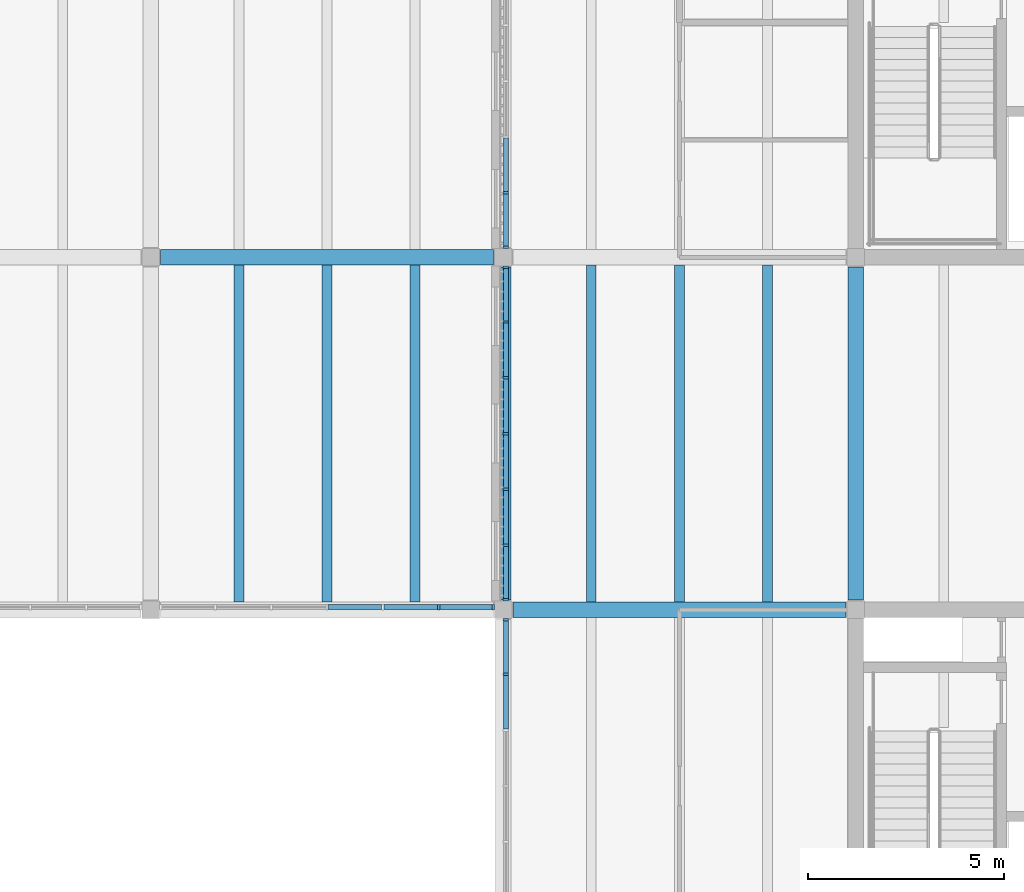
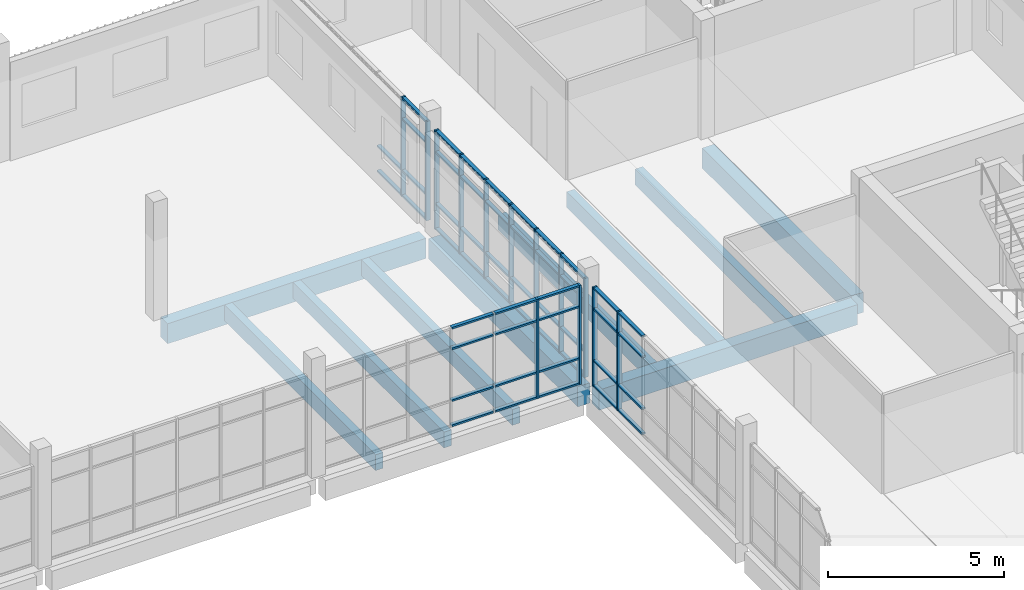
# One storey, part 26 of 88: 63 members, 10 beams, 4 elements without a shape of their own.
"""IFC4 building model written with IfcOpenShell, lengths in metres."""

from ifc_helpers import new_model, si_unit, direction, frame, origin, origin_2d, place, context, subcontext, project, spatial, rectangle, extrude, material, material_profile, profile_set, type_object, element, aggregate, save


model = new_model("IFC4")

# Units and contexts
model_context = context("Model", 3, precision=1e-05, world=origin(), true_north=direction((0.0, 1.0)))
body_context = subcontext(model_context, "Body", "Model", "MODEL_VIEW")
ifc_project = project(units=[si_unit("LENGTHUNIT", "METRE"), si_unit("AREAUNIT", "SQUARE_METRE"), si_unit("VOLUMEUNIT", "CUBIC_METRE"), si_unit("PLANEANGLEUNIT", "RADIAN"), si_unit("MASSUNIT", "GRAM", prefix="KILO")], contexts=[model_context])

# Site, building, storey
site_placement = place(None, origin())
site = spatial("IfcSite", under=ifc_project, at=site_placement, CompositionType="ELEMENT")
building_placement = place(site_placement, origin())
building = spatial("IfcBuilding", under=site, at=building_placement, Name="Merrow Basin Faculty of Sciences", CompositionType="ELEMENT")
storey_placement = place(building_placement, frame((0.0, 0.0, 9.0)))
storey = spatial("IfcBuildingStorey", under=building, at=storey_placement, Name="L02", CompositionType="ELEMENT", Elevation=9.0)

# Curtain wall, members
ifc_material_1 = material(Name="Aluminium alloy 6063", Category="aluminium")
curtain_wall_type = type_object("IfcCurtainWallType", Name="Court curtain wall 140", PredefinedType="NOTDEFINED", material=ifc_material_1)
curtain_wall_1_placement = place(storey_placement, origin())
curtain_wall_1 = element("IfcCurtainWall", 1, at=curtain_wall_1_placement, inside=storey, type_object=curtain_wall_type, Name="Court curtain wall L02 6", PredefinedType="NOTDEFINED")
ifc_material_2 = material(Name="Aluminium alloy 6063", Category="aluminium")
ifc_material_profile_1 = material_profile(ifc_material_2, rectangle(XDim=0.139892578125, YDim=0.06005859375, at=origin_2d()))
ifc_profile_set_1 = profile_set([ifc_material_profile_1], Name="Aluminium alloy 6063")
member_type_1 = type_object("IfcMemberType", Name="Aluminium mullion 60x140", PredefinedType="MULLION", material=ifc_profile_set_1)
member_1_placement = place(storey_placement, frame((54.070068359375, 113.35009765625, 0.0), z_axis=(0.0, 0.0, 1.0), x_axis=(-1.0, 0.0, 0.0)))
member_1 = element("IfcMember", 2, at=member_1_placement, type_object=member_type_1, Name="CW8 mullion 6", PredefinedType="MULLION", context=body_context, shape_type="SweptSolid", body=[
    extrude(rectangle(XDim=0.139892578125, YDim=0.06005859375, at=origin_2d()), origin(), (0.0, 0.0, 1.0), 3.449951171875),
])
member_2_placement = place(storey_placement, frame((54.070068359375, 114.7451171875, 0.0), z_axis=(0.0, 0.0, 1.0), x_axis=(-1.0, 0.0, 0.0)))
member_2 = element("IfcMember", 3, at=member_2_placement, type_object=member_type_1, Name="CW8 mullion 7", PredefinedType="MULLION", context=body_context, shape_type="SweptSolid", body=[
    extrude(rectangle(XDim=0.139892578125, YDim=0.06005859375, at=origin_2d()), origin(), (0.0, 0.0, 1.0), 3.449951171875),
])

curtain_wall_2_placement = place(storey_placement, origin())
curtain_wall_2 = element("IfcCurtainWall", 4, at=curtain_wall_2_placement, inside=storey, type_object=curtain_wall_type, Name="Court curtain wall L02 7", PredefinedType="NOTDEFINED")
member_3_placement = place(storey_placement, frame((54.070068359375, 115.2548828125, 0.0), z_axis=(0.0, 0.0, 1.0), x_axis=(-1.0, 0.0, 0.0)))
member_3 = element("IfcMember", 5, at=member_3_placement, type_object=member_type_1, Name="CW8 mullion 1", PredefinedType="MULLION", context=body_context, shape_type="SweptSolid", body=[
    extrude(rectangle(XDim=0.139892578125, YDim=0.06005859375, at=origin_2d()), origin(), (0.0, 0.0, 1.0), 3.449951171875),
])
member_4_placement = place(storey_placement, frame((54.070068359375, 116.64990234375, 0.0), z_axis=(0.0, 0.0, 1.0), x_axis=(-1.0, 0.0, 0.0)))
member_4 = element("IfcMember", 6, at=member_4_placement, type_object=member_type_1, Name="CW8 mullion 2", PredefinedType="MULLION", context=body_context, shape_type="SweptSolid", body=[
    extrude(rectangle(XDim=0.139892578125, YDim=0.06005859375, at=origin_2d()), origin(), (0.0, 0.0, 1.0), 3.449951171875),
])
member_5_placement = place(storey_placement, frame((54.070068359375, 118.074951171875, 0.0), z_axis=(0.0, 0.0, 1.0), x_axis=(-1.0, 0.0, 0.0)))
member_5 = element("IfcMember", 7, at=member_5_placement, type_object=member_type_1, Name="CW8 mullion 3", PredefinedType="MULLION", context=body_context, shape_type="SweptSolid", body=[
    extrude(rectangle(XDim=0.139892578125, YDim=0.06005859375, at=origin_2d()), origin(), (0.0, 0.0, 1.0), 3.449951171875),
])
member_6_placement = place(storey_placement, frame((54.070068359375, 119.5, 0.0), z_axis=(0.0, 0.0, 1.0), x_axis=(-1.0, 0.0, 0.0)))
member_6 = element("IfcMember", 8, at=member_6_placement, type_object=member_type_1, Name="CW8 mullion 4", PredefinedType="MULLION", context=body_context, shape_type="SweptSolid", body=[
    extrude(rectangle(XDim=0.139892578125, YDim=0.06005859375, at=origin_2d()), origin(), (0.0, 0.0, 1.0), 3.449951171875),
])
member_7_placement = place(storey_placement, frame((54.070068359375, 120.925048828125, 0.0), z_axis=(0.0, 0.0, 1.0), x_axis=(-1.0, 0.0, 0.0)))
member_7 = element("IfcMember", 9, at=member_7_placement, type_object=member_type_1, Name="CW8 mullion 5", PredefinedType="MULLION", context=body_context, shape_type="SweptSolid", body=[
    extrude(rectangle(XDim=0.139892578125, YDim=0.06005859375, at=origin_2d()), origin(), (0.0, 0.0, 1.0), 3.449951171875),
])
member_8_placement = place(storey_placement, frame((54.070068359375, 122.35009765625, 0.0), z_axis=(0.0, 0.0, 1.0), x_axis=(-1.0, 0.0, 0.0)))
member_8 = element("IfcMember", 10, at=member_8_placement, type_object=member_type_1, Name="CW8 mullion 6", PredefinedType="MULLION", context=body_context, shape_type="SweptSolid", body=[
    extrude(rectangle(XDim=0.139892578125, YDim=0.06005859375, at=origin_2d()), origin(), (0.0, 0.0, 1.0), 3.449951171875),
])
member_9_placement = place(storey_placement, frame((54.070068359375, 123.7451171875, 0.0), z_axis=(0.0, 0.0, 1.0), x_axis=(-1.0, 0.0, 0.0)))
member_9 = element("IfcMember", 11, at=member_9_placement, type_object=member_type_1, Name="CW8 mullion 7", PredefinedType="MULLION", context=body_context, shape_type="SweptSolid", body=[
    extrude(rectangle(XDim=0.139892578125, YDim=0.06005859375, at=origin_2d()), origin(), (0.0, 0.0, 1.0), 3.449951171875),
])

curtain_wall_3_placement = place(storey_placement, origin())
curtain_wall_3 = element("IfcCurtainWall", 12, at=curtain_wall_3_placement, inside=storey, type_object=curtain_wall_type, Name="Court curtain wall L02 8", PredefinedType="NOTDEFINED")
member_10_placement = place(storey_placement, frame((54.070068359375, 124.2548828125, 0.0), z_axis=(0.0, 0.0, 1.0), x_axis=(-1.0, 0.0, 0.0)))
member_10 = element("IfcMember", 13, at=member_10_placement, type_object=member_type_1, Name="CW8 mullion 1", PredefinedType="MULLION", context=body_context, shape_type="SweptSolid", body=[
    extrude(rectangle(XDim=0.139892578125, YDim=0.06005859375, at=origin_2d()), origin(), (0.0, 0.0, 1.0), 3.449951171875),
])
member_11_placement = place(storey_placement, frame((54.070068359375, 125.64990234375, 0.0), z_axis=(0.0, 0.0, 1.0), x_axis=(-1.0, 0.0, 0.0)))
member_11 = element("IfcMember", 14, at=member_11_placement, type_object=member_type_1, Name="CW8 mullion 2", PredefinedType="MULLION", context=body_context, shape_type="SweptSolid", body=[
    extrude(rectangle(XDim=0.139892578125, YDim=0.06005859375, at=origin_2d()), origin(), (0.0, 0.0, 1.0), 3.449951171875),
])

curtain_wall_4_placement = place(storey_placement, origin())
curtain_wall_4 = element("IfcCurtainWall", 15, at=curtain_wall_4_placement, inside=storey, type_object=curtain_wall_type, Name="Court curtain wall L02 3", PredefinedType="NOTDEFINED")
member_12_placement = place(storey_placement, frame((52.35009765625, 115.070068359375, 0.0), z_axis=(0.0, 0.0, 1.0), x_axis=(0.0, 1.0, 0.0)))
member_12 = element("IfcMember", 16, at=member_12_placement, type_object=member_type_1, Name="CW8 mullion 6", PredefinedType="MULLION", context=body_context, shape_type="SweptSolid", body=[
    extrude(rectangle(XDim=0.139892578125, YDim=0.06005859375, at=origin_2d()), origin(), (0.0, 0.0, 1.0), 3.449951171875),
])
member_13_placement = place(storey_placement, frame((53.7451171875, 115.070068359375, 0.0), z_axis=(0.0, 0.0, 1.0), x_axis=(0.0, 1.0, 0.0)))
member_13 = element("IfcMember", 17, at=member_13_placement, type_object=member_type_1, Name="CW8 mullion 7", PredefinedType="MULLION", context=body_context, shape_type="SweptSolid", body=[
    extrude(rectangle(XDim=0.139892578125, YDim=0.06005859375, at=origin_2d()), origin(), (0.0, 0.0, 1.0), 3.449951171875),
])

# Member
ifc_material_3 = material(Name="Aluminium alloy 6063", Category="aluminium")
ifc_material_profile_2 = material_profile(ifc_material_3, rectangle(XDim=0.1201171875, YDim=0.06005859375, at=origin_2d()))
ifc_profile_set_2 = profile_set([ifc_material_profile_2], Name="Aluminium alloy 6063")
member_type_2 = type_object("IfcMemberType", Name="Aluminium transom 60x120", PredefinedType="USERDEFINED", material=ifc_profile_set_2)
member_14_placement = place(storey_placement, frame((54.070068359375, 111.955078125, 0.030029296875), z_axis=(0.0, 1.0, 0.0), x_axis=(-1.0, 0.0, 0.0)))
member_14 = element("IfcMember", 18, at=member_14_placement, type_object=member_type_2, Name="CW8 transom 5.1", ObjectType="TRANSOM", PredefinedType="USERDEFINED", context=body_context, shape_type="SweptSolid", body=[
    extrude(rectangle(XDim=0.1201171875, YDim=0.06005859375, at=origin_2d()), origin(), (0.0, 0.0, 1.0), 1.364990234375),
])

member_15_placement = place(storey_placement, frame((54.070068359375, 111.955078125, 0.89990234375), z_axis=(0.0, 1.0, 0.0), x_axis=(-1.0, 0.0, 0.0)))
member_15 = element("IfcMember", 19, at=member_15_placement, type_object=member_type_2, Name="CW8 transom 5.2", ObjectType="TRANSOM", PredefinedType="USERDEFINED", context=body_context, shape_type="SweptSolid", body=[
    extrude(rectangle(XDim=0.1201171875, YDim=0.06005859375, at=origin_2d()), origin(), (0.0, 0.0, 1.0), 1.364990234375),
])

member_16_placement = place(storey_placement, frame((54.070068359375, 111.955078125, 2.699951171875), z_axis=(0.0, 1.0, 0.0), x_axis=(-1.0, 0.0, 0.0)))
member_16 = element("IfcMember", 20, at=member_16_placement, type_object=member_type_2, Name="CW8 transom 5.3", ObjectType="TRANSOM", PredefinedType="USERDEFINED", context=body_context, shape_type="SweptSolid", body=[
    extrude(rectangle(XDim=0.1201171875, YDim=0.06005859375, at=origin_2d()), origin(), (0.0, 0.0, 1.0), 1.364990234375),
])

member_17_placement = place(storey_placement, frame((54.070068359375, 111.955078125, 3.419921875), z_axis=(0.0, 1.0, 0.0), x_axis=(-1.0, 0.0, 0.0)))
member_17 = element("IfcMember", 21, at=member_17_placement, type_object=member_type_2, Name="CW8 transom 5.4", ObjectType="TRANSOM", PredefinedType="USERDEFINED", context=body_context, shape_type="SweptSolid", body=[
    extrude(rectangle(XDim=0.1201171875, YDim=0.06005859375, at=origin_2d()), origin(), (0.0, 0.0, 1.0), 1.364990234375),
])

member_18_placement = place(storey_placement, frame((54.070068359375, 113.3798828125, 0.030029296875), z_axis=(0.0, 1.0, 0.0), x_axis=(-1.0, 0.0, 0.0)))
member_18 = element("IfcMember", 22, at=member_18_placement, type_object=member_type_2, Name="CW8 transom 6.1", ObjectType="TRANSOM", PredefinedType="USERDEFINED", context=body_context, shape_type="SweptSolid", body=[
    extrude(rectangle(XDim=0.1201171875, YDim=0.06005859375, at=origin_2d()), origin(), (0.0, 0.0, 1.0), 1.335205078125),
])

member_19_placement = place(storey_placement, frame((54.070068359375, 113.3798828125, 0.89990234375), z_axis=(0.0, 1.0, 0.0), x_axis=(-1.0, 0.0, 0.0)))
member_19 = element("IfcMember", 23, at=member_19_placement, type_object=member_type_2, Name="CW8 transom 6.2", ObjectType="TRANSOM", PredefinedType="USERDEFINED", context=body_context, shape_type="SweptSolid", body=[
    extrude(rectangle(XDim=0.1201171875, YDim=0.06005859375, at=origin_2d()), origin(), (0.0, 0.0, 1.0), 1.335205078125),
])

member_20_placement = place(storey_placement, frame((54.070068359375, 113.3798828125, 2.699951171875), z_axis=(0.0, 1.0, 0.0), x_axis=(-1.0, 0.0, 0.0)))
member_20 = element("IfcMember", 24, at=member_20_placement, type_object=member_type_2, Name="CW8 transom 6.3", ObjectType="TRANSOM", PredefinedType="USERDEFINED", context=body_context, shape_type="SweptSolid", body=[
    extrude(rectangle(XDim=0.1201171875, YDim=0.06005859375, at=origin_2d()), origin(), (0.0, 0.0, 1.0), 1.335205078125),
])

member_21_placement = place(storey_placement, frame((54.070068359375, 113.3798828125, 3.419921875), z_axis=(0.0, 1.0, 0.0), x_axis=(-1.0, 0.0, 0.0)))
member_21 = element("IfcMember", 25, at=member_21_placement, type_object=member_type_2, Name="CW8 transom 6.4", ObjectType="TRANSOM", PredefinedType="USERDEFINED", context=body_context, shape_type="SweptSolid", body=[
    extrude(rectangle(XDim=0.1201171875, YDim=0.06005859375, at=origin_2d()), origin(), (0.0, 0.0, 1.0), 1.335205078125),
])

aggregate(curtain_wall_1, [member_1, member_2, member_14, member_15, member_16, member_17, member_18, member_19, member_20, member_21])

member_22_placement = place(storey_placement, frame((54.070068359375, 115.284912109375, 0.030029296875), z_axis=(0.0, 1.0, 0.0), x_axis=(-1.0, 0.0, 0.0)))
member_22 = element("IfcMember", 26, at=member_22_placement, type_object=member_type_2, Name="CW8 transom 1.1", ObjectType="TRANSOM", PredefinedType="USERDEFINED", context=body_context, shape_type="SweptSolid", body=[
    extrude(rectangle(XDim=0.1201171875, YDim=0.06005859375, at=origin_2d()), origin(), (0.0, 0.0, 1.0), 1.335205078125),
])

member_23_placement = place(storey_placement, frame((54.070068359375, 115.284912109375, 0.89990234375), z_axis=(0.0, 1.0, 0.0), x_axis=(-1.0, 0.0, 0.0)))
member_23 = element("IfcMember", 27, at=member_23_placement, type_object=member_type_2, Name="CW8 transom 1.2", ObjectType="TRANSOM", PredefinedType="USERDEFINED", context=body_context, shape_type="SweptSolid", body=[
    extrude(rectangle(XDim=0.1201171875, YDim=0.06005859375, at=origin_2d()), origin(), (0.0, 0.0, 1.0), 1.335205078125),
])

member_24_placement = place(storey_placement, frame((54.070068359375, 115.284912109375, 2.699951171875), z_axis=(0.0, 1.0, 0.0), x_axis=(-1.0, 0.0, 0.0)))
member_24 = element("IfcMember", 28, at=member_24_placement, type_object=member_type_2, Name="CW8 transom 1.3", ObjectType="TRANSOM", PredefinedType="USERDEFINED", context=body_context, shape_type="SweptSolid", body=[
    extrude(rectangle(XDim=0.1201171875, YDim=0.06005859375, at=origin_2d()), origin(), (0.0, 0.0, 1.0), 1.335205078125),
])

member_25_placement = place(storey_placement, frame((54.070068359375, 115.284912109375, 3.419921875), z_axis=(0.0, 1.0, 0.0), x_axis=(-1.0, 0.0, 0.0)))
member_25 = element("IfcMember", 29, at=member_25_placement, type_object=member_type_2, Name="CW8 transom 1.4", ObjectType="TRANSOM", PredefinedType="USERDEFINED", context=body_context, shape_type="SweptSolid", body=[
    extrude(rectangle(XDim=0.1201171875, YDim=0.06005859375, at=origin_2d()), origin(), (0.0, 0.0, 1.0), 1.335205078125),
])

member_26_placement = place(storey_placement, frame((54.070068359375, 116.679931640625, 0.030029296875), z_axis=(0.0, 1.0, 0.0), x_axis=(-1.0, 0.0, 0.0)))
member_26 = element("IfcMember", 30, at=member_26_placement, type_object=member_type_2, Name="CW8 transom 2.1", ObjectType="TRANSOM", PredefinedType="USERDEFINED", context=body_context, shape_type="SweptSolid", body=[
    extrude(rectangle(XDim=0.1201171875, YDim=0.06005859375, at=origin_2d()), origin(), (0.0, 0.0, 1.0), 1.364990234375),
])

member_27_placement = place(storey_placement, frame((54.070068359375, 116.679931640625, 0.89990234375), z_axis=(0.0, 1.0, 0.0), x_axis=(-1.0, 0.0, 0.0)))
member_27 = element("IfcMember", 31, at=member_27_placement, type_object=member_type_2, Name="CW8 transom 2.2", ObjectType="TRANSOM", PredefinedType="USERDEFINED", context=body_context, shape_type="SweptSolid", body=[
    extrude(rectangle(XDim=0.1201171875, YDim=0.06005859375, at=origin_2d()), origin(), (0.0, 0.0, 1.0), 1.364990234375),
])

member_28_placement = place(storey_placement, frame((54.070068359375, 116.679931640625, 2.699951171875), z_axis=(0.0, 1.0, 0.0), x_axis=(-1.0, 0.0, 0.0)))
member_28 = element("IfcMember", 32, at=member_28_placement, type_object=member_type_2, Name="CW8 transom 2.3", ObjectType="TRANSOM", PredefinedType="USERDEFINED", context=body_context, shape_type="SweptSolid", body=[
    extrude(rectangle(XDim=0.1201171875, YDim=0.06005859375, at=origin_2d()), origin(), (0.0, 0.0, 1.0), 1.364990234375),
])

member_29_placement = place(storey_placement, frame((54.070068359375, 116.679931640625, 3.419921875), z_axis=(0.0, 1.0, 0.0), x_axis=(-1.0, 0.0, 0.0)))
member_29 = element("IfcMember", 33, at=member_29_placement, type_object=member_type_2, Name="CW8 transom 2.4", ObjectType="TRANSOM", PredefinedType="USERDEFINED", context=body_context, shape_type="SweptSolid", body=[
    extrude(rectangle(XDim=0.1201171875, YDim=0.06005859375, at=origin_2d()), origin(), (0.0, 0.0, 1.0), 1.364990234375),
])

member_30_placement = place(storey_placement, frame((54.070068359375, 118.10498046875, 0.030029296875), z_axis=(0.0, 1.0, 0.0), x_axis=(-1.0, 0.0, 0.0)))
member_30 = element("IfcMember", 34, at=member_30_placement, type_object=member_type_2, Name="CW8 transom 3.1", ObjectType="TRANSOM", PredefinedType="USERDEFINED", context=body_context, shape_type="SweptSolid", body=[
    extrude(rectangle(XDim=0.1201171875, YDim=0.06005859375, at=origin_2d()), origin(), (0.0, 0.0, 1.0), 1.364990234375),
])

member_31_placement = place(storey_placement, frame((54.070068359375, 118.10498046875, 0.89990234375), z_axis=(0.0, 1.0, 0.0), x_axis=(-1.0, 0.0, 0.0)))
member_31 = element("IfcMember", 35, at=member_31_placement, type_object=member_type_2, Name="CW8 transom 3.2", ObjectType="TRANSOM", PredefinedType="USERDEFINED", context=body_context, shape_type="SweptSolid", body=[
    extrude(rectangle(XDim=0.1201171875, YDim=0.06005859375, at=origin_2d()), origin(), (0.0, 0.0, 1.0), 1.364990234375),
])

member_32_placement = place(storey_placement, frame((54.070068359375, 118.10498046875, 2.699951171875), z_axis=(0.0, 1.0, 0.0), x_axis=(-1.0, 0.0, 0.0)))
member_32 = element("IfcMember", 36, at=member_32_placement, type_object=member_type_2, Name="CW8 transom 3.3", ObjectType="TRANSOM", PredefinedType="USERDEFINED", context=body_context, shape_type="SweptSolid", body=[
    extrude(rectangle(XDim=0.1201171875, YDim=0.06005859375, at=origin_2d()), origin(), (0.0, 0.0, 1.0), 1.364990234375),
])

member_33_placement = place(storey_placement, frame((54.070068359375, 118.10498046875, 3.419921875), z_axis=(0.0, 1.0, 0.0), x_axis=(-1.0, 0.0, 0.0)))
member_33 = element("IfcMember", 37, at=member_33_placement, type_object=member_type_2, Name="CW8 transom 3.4", ObjectType="TRANSOM", PredefinedType="USERDEFINED", context=body_context, shape_type="SweptSolid", body=[
    extrude(rectangle(XDim=0.1201171875, YDim=0.06005859375, at=origin_2d()), origin(), (0.0, 0.0, 1.0), 1.364990234375),
])

member_34_placement = place(storey_placement, frame((54.070068359375, 119.530029296875, 0.030029296875), z_axis=(0.0, 1.0, 0.0), x_axis=(-1.0, 0.0, 0.0)))
member_34 = element("IfcMember", 38, at=member_34_placement, type_object=member_type_2, Name="CW8 transom 4.1", ObjectType="TRANSOM", PredefinedType="USERDEFINED", context=body_context, shape_type="SweptSolid", body=[
    extrude(rectangle(XDim=0.1201171875, YDim=0.06005859375, at=origin_2d()), origin(), (0.0, 0.0, 1.0), 1.364990234375),
])

member_35_placement = place(storey_placement, frame((54.070068359375, 119.530029296875, 0.89990234375), z_axis=(0.0, 1.0, 0.0), x_axis=(-1.0, 0.0, 0.0)))
member_35 = element("IfcMember", 39, at=member_35_placement, type_object=member_type_2, Name="CW8 transom 4.2", ObjectType="TRANSOM", PredefinedType="USERDEFINED", context=body_context, shape_type="SweptSolid", body=[
    extrude(rectangle(XDim=0.1201171875, YDim=0.06005859375, at=origin_2d()), origin(), (0.0, 0.0, 1.0), 1.364990234375),
])

member_36_placement = place(storey_placement, frame((54.070068359375, 119.530029296875, 2.699951171875), z_axis=(0.0, 1.0, 0.0), x_axis=(-1.0, 0.0, 0.0)))
member_36 = element("IfcMember", 40, at=member_36_placement, type_object=member_type_2, Name="CW8 transom 4.3", ObjectType="TRANSOM", PredefinedType="USERDEFINED", context=body_context, shape_type="SweptSolid", body=[
    extrude(rectangle(XDim=0.1201171875, YDim=0.06005859375, at=origin_2d()), origin(), (0.0, 0.0, 1.0), 1.364990234375),
])

member_37_placement = place(storey_placement, frame((54.070068359375, 119.530029296875, 3.419921875), z_axis=(0.0, 1.0, 0.0), x_axis=(-1.0, 0.0, 0.0)))
member_37 = element("IfcMember", 41, at=member_37_placement, type_object=member_type_2, Name="CW8 transom 4.4", ObjectType="TRANSOM", PredefinedType="USERDEFINED", context=body_context, shape_type="SweptSolid", body=[
    extrude(rectangle(XDim=0.1201171875, YDim=0.06005859375, at=origin_2d()), origin(), (0.0, 0.0, 1.0), 1.364990234375),
])

member_38_placement = place(storey_placement, frame((54.070068359375, 120.955078125, 0.030029296875), z_axis=(0.0, 1.0, 0.0), x_axis=(-1.0, 0.0, 0.0)))
member_38 = element("IfcMember", 42, at=member_38_placement, type_object=member_type_2, Name="CW8 transom 5.1", ObjectType="TRANSOM", PredefinedType="USERDEFINED", context=body_context, shape_type="SweptSolid", body=[
    extrude(rectangle(XDim=0.1201171875, YDim=0.06005859375, at=origin_2d()), origin(), (0.0, 0.0, 1.0), 1.364990234375),
])

member_39_placement = place(storey_placement, frame((54.070068359375, 120.955078125, 0.89990234375), z_axis=(0.0, 1.0, 0.0), x_axis=(-1.0, 0.0, 0.0)))
member_39 = element("IfcMember", 43, at=member_39_placement, type_object=member_type_2, Name="CW8 transom 5.2", ObjectType="TRANSOM", PredefinedType="USERDEFINED", context=body_context, shape_type="SweptSolid", body=[
    extrude(rectangle(XDim=0.1201171875, YDim=0.06005859375, at=origin_2d()), origin(), (0.0, 0.0, 1.0), 1.364990234375),
])

member_40_placement = place(storey_placement, frame((54.070068359375, 120.955078125, 2.699951171875), z_axis=(0.0, 1.0, 0.0), x_axis=(-1.0, 0.0, 0.0)))
member_40 = element("IfcMember", 44, at=member_40_placement, type_object=member_type_2, Name="CW8 transom 5.3", ObjectType="TRANSOM", PredefinedType="USERDEFINED", context=body_context, shape_type="SweptSolid", body=[
    extrude(rectangle(XDim=0.1201171875, YDim=0.06005859375, at=origin_2d()), origin(), (0.0, 0.0, 1.0), 1.364990234375),
])

member_41_placement = place(storey_placement, frame((54.070068359375, 120.955078125, 3.419921875), z_axis=(0.0, 1.0, 0.0), x_axis=(-1.0, 0.0, 0.0)))
member_41 = element("IfcMember", 45, at=member_41_placement, type_object=member_type_2, Name="CW8 transom 5.4", ObjectType="TRANSOM", PredefinedType="USERDEFINED", context=body_context, shape_type="SweptSolid", body=[
    extrude(rectangle(XDim=0.1201171875, YDim=0.06005859375, at=origin_2d()), origin(), (0.0, 0.0, 1.0), 1.364990234375),
])

member_42_placement = place(storey_placement, frame((54.070068359375, 122.3798828125, 0.030029296875), z_axis=(0.0, 1.0, 0.0), x_axis=(-1.0, 0.0, 0.0)))
member_42 = element("IfcMember", 46, at=member_42_placement, type_object=member_type_2, Name="CW8 transom 6.1", ObjectType="TRANSOM", PredefinedType="USERDEFINED", context=body_context, shape_type="SweptSolid", body=[
    extrude(rectangle(XDim=0.1201171875, YDim=0.06005859375, at=origin_2d()), origin(), (0.0, 0.0, 1.0), 1.335205078125),
])

member_43_placement = place(storey_placement, frame((54.070068359375, 122.3798828125, 0.89990234375), z_axis=(0.0, 1.0, 0.0), x_axis=(-1.0, 0.0, 0.0)))
member_43 = element("IfcMember", 47, at=member_43_placement, type_object=member_type_2, Name="CW8 transom 6.2", ObjectType="TRANSOM", PredefinedType="USERDEFINED", context=body_context, shape_type="SweptSolid", body=[
    extrude(rectangle(XDim=0.1201171875, YDim=0.06005859375, at=origin_2d()), origin(), (0.0, 0.0, 1.0), 1.335205078125),
])

member_44_placement = place(storey_placement, frame((54.070068359375, 122.3798828125, 2.699951171875), z_axis=(0.0, 1.0, 0.0), x_axis=(-1.0, 0.0, 0.0)))
member_44 = element("IfcMember", 48, at=member_44_placement, type_object=member_type_2, Name="CW8 transom 6.3", ObjectType="TRANSOM", PredefinedType="USERDEFINED", context=body_context, shape_type="SweptSolid", body=[
    extrude(rectangle(XDim=0.1201171875, YDim=0.06005859375, at=origin_2d()), origin(), (0.0, 0.0, 1.0), 1.335205078125),
])

member_45_placement = place(storey_placement, frame((54.070068359375, 122.3798828125, 3.419921875), z_axis=(0.0, 1.0, 0.0), x_axis=(-1.0, 0.0, 0.0)))
member_45 = element("IfcMember", 49, at=member_45_placement, type_object=member_type_2, Name="CW8 transom 6.4", ObjectType="TRANSOM", PredefinedType="USERDEFINED", context=body_context, shape_type="SweptSolid", body=[
    extrude(rectangle(XDim=0.1201171875, YDim=0.06005859375, at=origin_2d()), origin(), (0.0, 0.0, 1.0), 1.335205078125),
])

aggregate(curtain_wall_2, [member_3, member_4, member_5, member_6, member_7, member_8, member_9, member_22, member_23, member_24, member_25, member_26, member_27, member_28, member_29, member_30, member_31, member_32, member_33, member_34, member_35, member_36, member_37, member_38, member_39, member_40, member_41, member_42, member_43, member_44, member_45])

member_46_placement = place(storey_placement, frame((54.070068359375, 124.284912109375, 0.030029296875), z_axis=(0.0, 1.0, 0.0), x_axis=(-1.0, 0.0, 0.0)))
member_46 = element("IfcMember", 50, at=member_46_placement, type_object=member_type_2, Name="CW8 transom 1.1", ObjectType="TRANSOM", PredefinedType="USERDEFINED", context=body_context, shape_type="SweptSolid", body=[
    extrude(rectangle(XDim=0.1201171875, YDim=0.06005859375, at=origin_2d()), origin(), (0.0, 0.0, 1.0), 1.335205078125),
])

member_47_placement = place(storey_placement, frame((54.070068359375, 124.284912109375, 0.89990234375), z_axis=(0.0, 1.0, 0.0), x_axis=(-1.0, 0.0, 0.0)))
member_47 = element("IfcMember", 51, at=member_47_placement, type_object=member_type_2, Name="CW8 transom 1.2", ObjectType="TRANSOM", PredefinedType="USERDEFINED", context=body_context, shape_type="SweptSolid", body=[
    extrude(rectangle(XDim=0.1201171875, YDim=0.06005859375, at=origin_2d()), origin(), (0.0, 0.0, 1.0), 1.335205078125),
])

member_48_placement = place(storey_placement, frame((54.070068359375, 124.284912109375, 2.699951171875), z_axis=(0.0, 1.0, 0.0), x_axis=(-1.0, 0.0, 0.0)))
member_48 = element("IfcMember", 52, at=member_48_placement, type_object=member_type_2, Name="CW8 transom 1.3", ObjectType="TRANSOM", PredefinedType="USERDEFINED", context=body_context, shape_type="SweptSolid", body=[
    extrude(rectangle(XDim=0.1201171875, YDim=0.06005859375, at=origin_2d()), origin(), (0.0, 0.0, 1.0), 1.335205078125),
])

member_49_placement = place(storey_placement, frame((54.070068359375, 124.284912109375, 3.419921875), z_axis=(0.0, 1.0, 0.0), x_axis=(-1.0, 0.0, 0.0)))
member_49 = element("IfcMember", 53, at=member_49_placement, type_object=member_type_2, Name="CW8 transom 1.4", ObjectType="TRANSOM", PredefinedType="USERDEFINED", context=body_context, shape_type="SweptSolid", body=[
    extrude(rectangle(XDim=0.1201171875, YDim=0.06005859375, at=origin_2d()), origin(), (0.0, 0.0, 1.0), 1.335205078125),
])

member_50_placement = place(storey_placement, frame((54.070068359375, 125.679931640625, 0.030029296875), z_axis=(0.0, 1.0, 0.0), x_axis=(-1.0, 0.0, 0.0)))
member_50 = element("IfcMember", 54, at=member_50_placement, type_object=member_type_2, Name="CW8 transom 2.1", ObjectType="TRANSOM", PredefinedType="USERDEFINED", context=body_context, shape_type="SweptSolid", body=[
    extrude(rectangle(XDim=0.1201171875, YDim=0.06005859375, at=origin_2d()), origin(), (0.0, 0.0, 1.0), 1.364990234375),
])

member_51_placement = place(storey_placement, frame((54.070068359375, 125.679931640625, 0.89990234375), z_axis=(0.0, 1.0, 0.0), x_axis=(-1.0, 0.0, 0.0)))
member_51 = element("IfcMember", 55, at=member_51_placement, type_object=member_type_2, Name="CW8 transom 2.2", ObjectType="TRANSOM", PredefinedType="USERDEFINED", context=body_context, shape_type="SweptSolid", body=[
    extrude(rectangle(XDim=0.1201171875, YDim=0.06005859375, at=origin_2d()), origin(), (0.0, 0.0, 1.0), 1.364990234375),
])

aggregate(curtain_wall_3, [member_10, member_11, member_46, member_47, member_48, member_49, member_50, member_51])

member_52_placement = place(storey_placement, frame((49.530029296875, 115.070068359375, 0.030029296875), z_axis=(1.0, 0.0, 0.0), x_axis=(0.0, 1.0, 0.0)))
member_52 = element("IfcMember", 56, at=member_52_placement, type_object=member_type_2, Name="CW8 transom 4.1", ObjectType="TRANSOM", PredefinedType="USERDEFINED", context=body_context, shape_type="SweptSolid", body=[
    extrude(rectangle(XDim=0.1201171875, YDim=0.06005859375, at=origin_2d()), origin(), (0.0, 0.0, 1.0), 1.364990234375),
])

member_53_placement = place(storey_placement, frame((49.530029296875, 115.070068359375, 0.89990234375), z_axis=(1.0, 0.0, 0.0), x_axis=(0.0, 1.0, 0.0)))
member_53 = element("IfcMember", 57, at=member_53_placement, type_object=member_type_2, Name="CW8 transom 4.2", ObjectType="TRANSOM", PredefinedType="USERDEFINED", context=body_context, shape_type="SweptSolid", body=[
    extrude(rectangle(XDim=0.1201171875, YDim=0.06005859375, at=origin_2d()), origin(), (0.0, 0.0, 1.0), 1.364990234375),
])

member_54_placement = place(storey_placement, frame((49.530029296875, 115.070068359375, 2.699951171875), z_axis=(1.0, 0.0, 0.0), x_axis=(0.0, 1.0, 0.0)))
member_54 = element("IfcMember", 58, at=member_54_placement, type_object=member_type_2, Name="CW8 transom 4.3", ObjectType="TRANSOM", PredefinedType="USERDEFINED", context=body_context, shape_type="SweptSolid", body=[
    extrude(rectangle(XDim=0.1201171875, YDim=0.06005859375, at=origin_2d()), origin(), (0.0, 0.0, 1.0), 1.364990234375),
])

member_55_placement = place(storey_placement, frame((49.530029296875, 115.070068359375, 3.419921875), z_axis=(1.0, 0.0, 0.0), x_axis=(0.0, 1.0, 0.0)))
member_55 = element("IfcMember", 59, at=member_55_placement, type_object=member_type_2, Name="CW8 transom 4.4", ObjectType="TRANSOM", PredefinedType="USERDEFINED", context=body_context, shape_type="SweptSolid", body=[
    extrude(rectangle(XDim=0.1201171875, YDim=0.06005859375, at=origin_2d()), origin(), (0.0, 0.0, 1.0), 1.364990234375),
])

member_56_placement = place(storey_placement, frame((50.955078125, 115.070068359375, 0.030029296875), z_axis=(1.0, 0.0, 0.0), x_axis=(0.0, 1.0, 0.0)))
member_56 = element("IfcMember", 60, at=member_56_placement, type_object=member_type_2, Name="CW8 transom 5.1", ObjectType="TRANSOM", PredefinedType="USERDEFINED", context=body_context, shape_type="SweptSolid", body=[
    extrude(rectangle(XDim=0.1201171875, YDim=0.06005859375, at=origin_2d()), origin(), (0.0, 0.0, 1.0), 1.364990234375),
])

member_57_placement = place(storey_placement, frame((50.955078125, 115.070068359375, 0.89990234375), z_axis=(1.0, 0.0, 0.0), x_axis=(0.0, 1.0, 0.0)))
member_57 = element("IfcMember", 61, at=member_57_placement, type_object=member_type_2, Name="CW8 transom 5.2", ObjectType="TRANSOM", PredefinedType="USERDEFINED", context=body_context, shape_type="SweptSolid", body=[
    extrude(rectangle(XDim=0.1201171875, YDim=0.06005859375, at=origin_2d()), origin(), (0.0, 0.0, 1.0), 1.364990234375),
])

member_58_placement = place(storey_placement, frame((50.955078125, 115.070068359375, 2.699951171875), z_axis=(1.0, 0.0, 0.0), x_axis=(0.0, 1.0, 0.0)))
member_58 = element("IfcMember", 62, at=member_58_placement, type_object=member_type_2, Name="CW8 transom 5.3", ObjectType="TRANSOM", PredefinedType="USERDEFINED", context=body_context, shape_type="SweptSolid", body=[
    extrude(rectangle(XDim=0.1201171875, YDim=0.06005859375, at=origin_2d()), origin(), (0.0, 0.0, 1.0), 1.364990234375),
])

member_59_placement = place(storey_placement, frame((50.955078125, 115.070068359375, 3.419921875), z_axis=(1.0, 0.0, 0.0), x_axis=(0.0, 1.0, 0.0)))
member_59 = element("IfcMember", 63, at=member_59_placement, type_object=member_type_2, Name="CW8 transom 5.4", ObjectType="TRANSOM", PredefinedType="USERDEFINED", context=body_context, shape_type="SweptSolid", body=[
    extrude(rectangle(XDim=0.1201171875, YDim=0.06005859375, at=origin_2d()), origin(), (0.0, 0.0, 1.0), 1.364990234375),
])

member_60_placement = place(storey_placement, frame((52.3798828125, 115.070068359375, 0.030029296875), z_axis=(1.0, 0.0, 0.0), x_axis=(0.0, 1.0, 0.0)))
member_60 = element("IfcMember", 64, at=member_60_placement, type_object=member_type_2, Name="CW8 transom 6.1", ObjectType="TRANSOM", PredefinedType="USERDEFINED", context=body_context, shape_type="SweptSolid", body=[
    extrude(rectangle(XDim=0.1201171875, YDim=0.06005859375, at=origin_2d()), origin(), (0.0, 0.0, 1.0), 1.335205078125),
])

member_61_placement = place(storey_placement, frame((52.3798828125, 115.070068359375, 0.89990234375), z_axis=(1.0, 0.0, 0.0), x_axis=(0.0, 1.0, 0.0)))
member_61 = element("IfcMember", 65, at=member_61_placement, type_object=member_type_2, Name="CW8 transom 6.2", ObjectType="TRANSOM", PredefinedType="USERDEFINED", context=body_context, shape_type="SweptSolid", body=[
    extrude(rectangle(XDim=0.1201171875, YDim=0.06005859375, at=origin_2d()), origin(), (0.0, 0.0, 1.0), 1.335205078125),
])

member_62_placement = place(storey_placement, frame((52.3798828125, 115.070068359375, 2.699951171875), z_axis=(1.0, 0.0, 0.0), x_axis=(0.0, 1.0, 0.0)))
member_62 = element("IfcMember", 66, at=member_62_placement, type_object=member_type_2, Name="CW8 transom 6.3", ObjectType="TRANSOM", PredefinedType="USERDEFINED", context=body_context, shape_type="SweptSolid", body=[
    extrude(rectangle(XDim=0.1201171875, YDim=0.06005859375, at=origin_2d()), origin(), (0.0, 0.0, 1.0), 1.335205078125),
])

member_63_placement = place(storey_placement, frame((52.3798828125, 115.070068359375, 3.419921875), z_axis=(1.0, 0.0, 0.0), x_axis=(0.0, 1.0, 0.0)))
member_63 = element("IfcMember", 67, at=member_63_placement, type_object=member_type_2, Name="CW8 transom 6.4", ObjectType="TRANSOM", PredefinedType="USERDEFINED", context=body_context, shape_type="SweptSolid", body=[
    extrude(rectangle(XDim=0.1201171875, YDim=0.06005859375, at=origin_2d()), origin(), (0.0, 0.0, 1.0), 1.335205078125),
])

aggregate(curtain_wall_4, [member_12, member_13, member_52, member_53, member_54, member_55, member_56, member_57, member_58, member_59, member_60, member_61, member_62, member_63])

# Beams
ifc_material_4 = material(Name="Concrete C40/50", Category="concrete")
ifc_material_profile_3 = material_profile(ifc_material_4, rectangle(XDim=0.39990234375, YDim=0.699951171875, at=origin_2d()))
ifc_profile_set_3 = profile_set([ifc_material_profile_3], Name="Concrete C40/50")
beam_type_1 = type_object("IfcBeamType", Name="Beam RC400x700 C40/50", PredefinedType="BEAM", material=ifc_profile_set_3)
for number, where, z_axis, x_axis, name in (
    (68, (54.25, 115.0, -0.60009765625), (1.0, 0.0, 0.0), (0.0, 1.0, 0.0), "B3 L02 013"),
    (69, (45.25, 124.0, -0.60009765625), (1.0, 0.0, 0.0), (0.0, 1.0, 0.0), "B3 L02 015"),
    (70, (54.0, 115.25, -0.60009765625), (0.0, 1.0, 0.0), (-1.0, 0.0, 0.0), "B3 L02 030"),
    (71, (63.0, 115.25, -0.60009765625), (0.0, 1.0, 0.0), (-1.0, 0.0, 0.0), "B3 L02 036"),
):
    element("IfcBeam", number, at=place(storey_placement, frame(where, z_axis=z_axis, x_axis=x_axis)), inside=storey, type_object=beam_type_1, Name=name, PredefinedType="BEAM", context=body_context, shape_type="SweptSolid", body=[
        extrude(rectangle(XDim=0.39990234375, YDim=0.699951171875, at=origin_2d()), origin(), (0.0, 0.0, 1.0), 8.5),
    ])
ifc_material_5 = material(Name="Concrete C40/50", Category="concrete")
ifc_material_profile_4 = material_profile(ifc_material_5, rectangle(XDim=0.25, YDim=0.550048828125, at=origin_2d()))
ifc_profile_set_4 = profile_set([ifc_material_profile_4], Name="Concrete C40/50")
beam_type_2 = type_object("IfcBeamType", Name="Commons floor joist RC250x550 C40/50", PredefinedType="BEAM", material=ifc_profile_set_4)
for number, where, z_axis, x_axis, name in (
    (72, (47.25, 115.199951171875, -0.52490234375), (0.0, 1.0, 0.0), (-1.0, 0.0, 0.0), "JC1 L02 054"),
    (73, (49.5, 115.199951171875, -0.52490234375), (0.0, 1.0, 0.0), (-1.0, 0.0, 0.0), "JC1 L02 055"),
    (74, (51.75, 115.199951171875, -0.52490234375), (0.0, 1.0, 0.0), (-1.0, 0.0, 0.0), "JC1 L02 056"),
    (75, (56.25, 115.199951171875, -0.52490234375), (0.0, 1.0, 0.0), (-1.0, 0.0, 0.0), "JC1 L02 078"),
    (76, (58.5, 115.199951171875, -0.52490234375), (0.0, 1.0, 0.0), (-1.0, 0.0, 0.0), "JC1 L02 079"),
    (77, (60.75, 115.199951171875, -0.52490234375), (0.0, 1.0, 0.0), (-1.0, 0.0, 0.0), "JC1 L02 080"),
):
    element("IfcBeam", number, at=place(storey_placement, frame(where, z_axis=z_axis, x_axis=x_axis)), inside=storey, type_object=beam_type_2, Name=name, PredefinedType="BEAM", context=body_context, shape_type="SweptSolid", body=[
        extrude(rectangle(XDim=0.25, YDim=0.550048828125, at=origin_2d()), origin(), (0.0, 0.0, 1.0), 8.60009765625),
    ])

save(model, "model.ifc")
